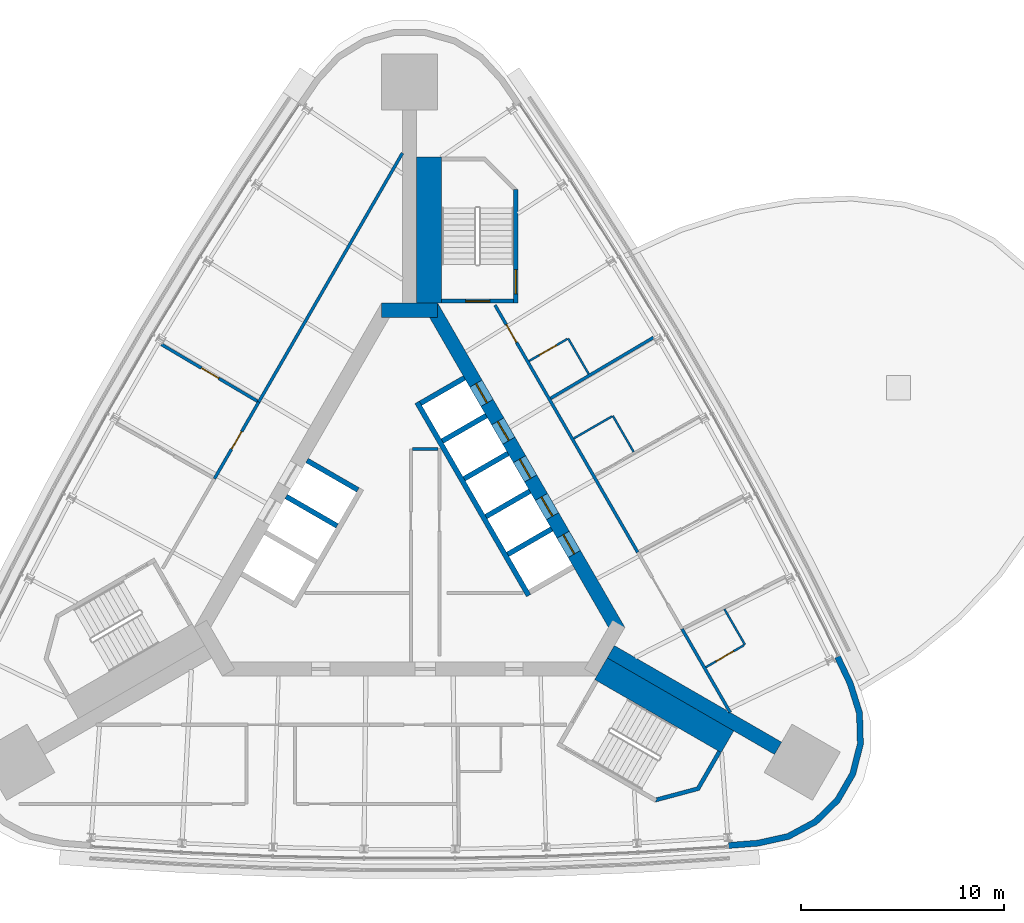
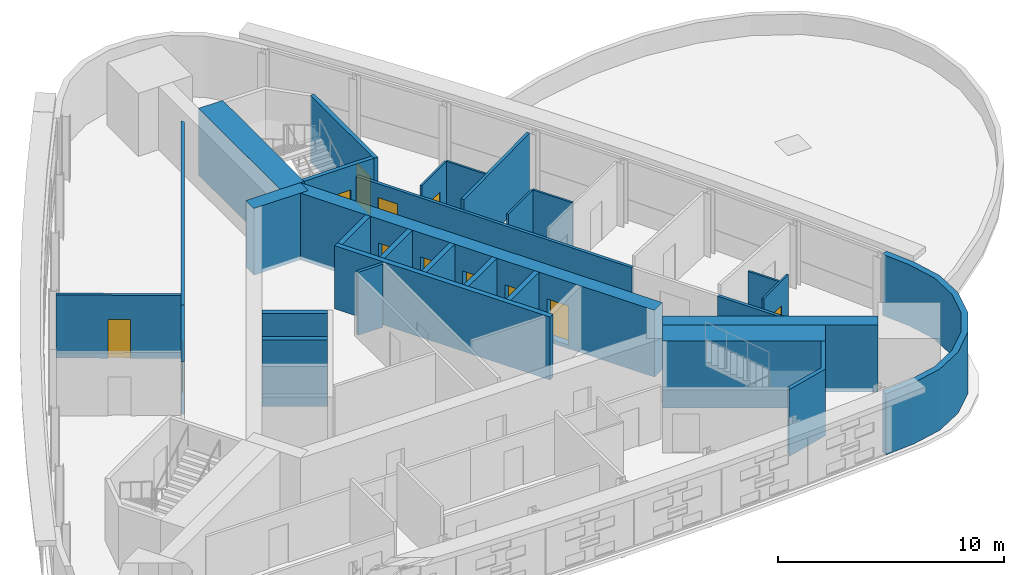
# One storey, part 9 of 12: 30 walls, 12 doors, 12 openings.
"""IFC4 building model written with IfcOpenShell, lengths in metres."""

from ifc_helpers import new_model, si_unit, direction, frame, frame_2d, origin, place, context, subcontext, project, spatial, polyline, rectangle, outline, extrude, material, layer, layer_set, type_object, element, fill, save


model = new_model("IFC4")

# Units and contexts
model_context = context("Model", 3, precision=1e-05, world=origin(), true_north=direction((0.0, 1.0)))
body_context = subcontext(model_context, "Body", "Model", "MODEL_VIEW")
ifc_project = project(units=[si_unit("LENGTHUNIT", "METRE"), si_unit("AREAUNIT", "SQUARE_METRE"), si_unit("VOLUMEUNIT", "CUBIC_METRE"), si_unit("PLANEANGLEUNIT", "RADIAN"), si_unit("MASSUNIT", "GRAM", prefix="KILO")], contexts=[model_context])

# Site, building, storey
site_placement = place(None, origin())
site = spatial("IfcSite", under=ifc_project, at=site_placement, CompositionType="ELEMENT")
building_placement = place(site_placement, origin())
building = spatial("IfcBuilding", under=site, at=building_placement, Name="Noor Cloister Tower", CompositionType="ELEMENT")
storey_placement = place(building_placement, frame((0.0, 0.0, 185.10009765625)))
storey = spatial("IfcBuildingStorey", under=building, at=storey_placement, Name="L47", CompositionType="ELEMENT", Elevation=185.10009765625)

# Walls
ifc_material_1 = material(Name="Concrete C70/85", Category="concrete")
ifc_layer_1 = layer(ifc_material_1, 0.699951171875)
ifc_layer_set_1 = layer_set([ifc_layer_1], Name="Buttress wall 700 C70/85")
wall_type_1 = type_object("IfcWallType", Name="Buttress wall 700 C70/85", PredefinedType="SHEAR", material=ifc_layer_set_1)
wall_1_placement = place(storey_placement, frame((9.921630859375, -5.728271484375, -0.2001953125), z_axis=(0.0, 0.0, 1.0), x_axis=(0.866025463095, -0.499999897272, 0.0)))
element("IfcWall", 1, at=wall_1_placement, inside=storey, type_object=wall_type_1, Name="Buttress wall SE L47", PredefinedType="SHEAR", context=body_context, shape_type="SweptSolid", body=[
    extrude(rectangle(XDim=9.521484375, YDim=0.699951171875, at=frame_2d((4.7607421875, 0.0))), origin(), (0.0, 0.0, 1.0), 3.60009765625),
])
ifc_material_2 = material(Name="Concrete C30/37", Category="concrete")
ifc_layer_2 = layer(ifc_material_2, 0.14990234375)
ifc_layer_set_2 = layer_set([ifc_layer_2], Name="Core partition 150 C30/37")
wall_type_2 = type_object("IfcWallType", Name="Core partition 150 C30/37", PredefinedType="PARTITIONING", material=ifc_layer_set_2)
wall_2_placement = place(storey_placement, frame((0.146240234375, 4.271728515625, 0.0), z_axis=(0.0, 0.0, 1.0), x_axis=(1.0, 0.0, 0.0)))
element("IfcWall", 2, at=wall_2_placement, inside=storey, type_object=wall_type_2, Name="Core room partition L47 3", PredefinedType="PARTITIONING", context=body_context, shape_type="SweptSolid", body=[
    extrude(rectangle(XDim=1.25, YDim=0.14990234375, at=frame_2d((0.625, 0.0))), origin(), (0.0, 0.0, 1.0), 3.39990234375),
])

# Wall, openings, doors
ifc_material_3 = material(Name="Concrete C70/85", Category="concrete")
ifc_layer_3 = layer(ifc_material_3, 0.699951171875)
ifc_layer_set_3 = layer_set([ifc_layer_3], Name="Core wall 700 C70/85")
wall_type_3 = type_object("IfcWallType", Name="Core wall 700 C70/85", PredefinedType="SHEAR", material=ifc_layer_set_3)
wall_3_placement = place(storey_placement, frame((10.311279296875, -4.703125, -0.2001953125), z_axis=(0.0, 0.0, 1.0), x_axis=(-0.500001446645, 0.866024568562, 0.0)))
wall_3 = element("IfcWall", 3, at=wall_3_placement, inside=storey, type_object=wall_type_3, Name="Core wall L47 3", PredefinedType="SHEAR", context=body_context, shape_type="SweptSolid", body=[
    extrude(rectangle(XDim=18.45751953125, YDim=0.699951171875, at=frame_2d((9.228759765625, 0.0))), origin(), (0.0, 0.0, 1.0), 3.60009765625),
])
opening_1_placement = place(wall_3_placement, frame((4.378662109375, 0.0, 0.199951171875)))
opening_1 = element("IfcOpeningElement", 4, at=opening_1_placement, cuts=wall_3, Name="Opening L47-HR1", PredefinedType="OPENING", context=body_context, shape_type="SweptSolid", body=[
    extrude(rectangle(XDim=1.10009765625, YDim=2.10009765625, at=frame_2d((0.550048828125, 1.050048828125))), frame((0.0, 0.35986328125, 0.0), z_axis=(0.0, -1.0, 0.0), x_axis=(1.0, 0.0, 0.0)), (0.0, 0.0, 1.0), 0.719970703125),
])
opening_2_placement = place(wall_3_placement, frame((6.52880859375, 0.0, 0.199951171875)))
opening_2 = element("IfcOpeningElement", 5, at=opening_2_placement, cuts=wall_3, Name="Opening L47-HR2", PredefinedType="OPENING", context=body_context, shape_type="SweptSolid", body=[
    extrude(rectangle(XDim=1.10009765625, YDim=2.10009765625, at=frame_2d((0.550048828125, 1.050048828125))), frame((0.0, 0.35986328125, 0.0), z_axis=(0.0, -1.0, 0.0), x_axis=(1.0, 0.0, 0.0)), (0.0, 0.0, 1.0), 0.719970703125),
])
opening_3_placement = place(wall_3_placement, frame((8.6787109375, 0.0, 0.199951171875)))
opening_3 = element("IfcOpeningElement", 6, at=opening_3_placement, cuts=wall_3, Name="Opening L47-HR3", PredefinedType="OPENING", context=body_context, shape_type="SweptSolid", body=[
    extrude(rectangle(XDim=1.10009765625, YDim=2.10009765625, at=frame_2d((0.550048828125, 1.050048828125))), frame((0.0, 0.35986328125, 0.0), z_axis=(0.0, -1.0, 0.0), x_axis=(1.0, 0.0, 0.0)), (0.0, 0.0, 1.0), 0.719970703125),
])
opening_4_placement = place(wall_3_placement, frame((10.82861328125, 0.0, 0.199951171875)))
opening_4 = element("IfcOpeningElement", 7, at=opening_4_placement, cuts=wall_3, Name="Opening L47-HR4", PredefinedType="OPENING", context=body_context, shape_type="SweptSolid", body=[
    extrude(rectangle(XDim=1.10009765625, YDim=2.10009765625, at=frame_2d((0.550048828125, 1.050048828125))), frame((0.0, 0.35986328125, 0.0), z_axis=(0.0, -1.0, 0.0), x_axis=(1.0, 0.0, 0.0)), (0.0, 0.0, 1.0), 0.719970703125),
])
opening_5_placement = place(wall_3_placement, frame((12.978759765625, 0.0, 0.199951171875)))
opening_5 = element("IfcOpeningElement", 8, at=opening_5_placement, cuts=wall_3, Name="Opening L47-HR5", PredefinedType="OPENING", context=body_context, shape_type="SweptSolid", body=[
    extrude(rectangle(XDim=1.10009765625, YDim=2.10009765625, at=frame_2d((0.550048828125, 1.050048828125))), frame((0.0, 0.35986328125, 0.0), z_axis=(0.0, -1.0, 0.0), x_axis=(1.0, 0.0, 0.0)), (0.0, 0.0, 1.0), 0.719970703125),
])
ifc_material_4 = material(Name="Stainless steel", Category="steel")
door_type_1 = type_object("IfcDoorType", Name="Lift landing door 1100 x 2100", OperationType="DOUBLE_DOOR_SLIDING", PredefinedType="DOOR", material=ifc_material_4)
door_1_placement = place(opening_1_placement, origin())
door_1 = element("IfcDoor", 9, at=door_1_placement, inside=storey, type_object=door_type_1, Name="Landing door HR1 L47", OperationType="DOUBLE_DOOR_SLIDING", OverallHeight=2.10009765625, OverallWidth=1.10009765625, PredefinedType="DOOR", context=body_context, shape_type="SweptSolid", body=[
    extrude(rectangle(XDim=1.10009765625, YDim=2.10009765625, at=frame_2d((0.550048828125, 1.050048828125))), frame((0.0, 0.02490234375, 0.0), z_axis=(0.0, -1.0, 0.0), x_axis=(1.0, 0.0, 0.0)), (0.0, 0.0, 1.0), 0.050048828125),
])
fill(opening_1, door_1)
door_2_placement = place(opening_2_placement, origin())
door_2 = element("IfcDoor", 10, at=door_2_placement, inside=storey, type_object=door_type_1, Name="Landing door HR2 L47", OperationType="DOUBLE_DOOR_SLIDING", OverallHeight=2.10009765625, OverallWidth=1.10009765625, PredefinedType="DOOR", context=body_context, shape_type="SweptSolid", body=[
    extrude(rectangle(XDim=1.10009765625, YDim=2.10009765625, at=frame_2d((0.550048828125, 1.050048828125))), frame((0.0, 0.02490234375, 0.0), z_axis=(0.0, -1.0, 0.0), x_axis=(1.0, 0.0, 0.0)), (0.0, 0.0, 1.0), 0.050048828125),
])
fill(opening_2, door_2)
door_3_placement = place(opening_3_placement, origin())
door_3 = element("IfcDoor", 11, at=door_3_placement, inside=storey, type_object=door_type_1, Name="Landing door HR3 L47", OperationType="DOUBLE_DOOR_SLIDING", OverallHeight=2.10009765625, OverallWidth=1.10009765625, PredefinedType="DOOR", context=body_context, shape_type="SweptSolid", body=[
    extrude(rectangle(XDim=1.10009765625, YDim=2.10009765625, at=frame_2d((0.550048828125, 1.050048828125))), frame((0.0, 0.02490234375, 0.0), z_axis=(0.0, -1.0, 0.0), x_axis=(1.0, 0.0, 0.0)), (0.0, 0.0, 1.0), 0.050048828125),
])
fill(opening_3, door_3)
door_4_placement = place(opening_4_placement, origin())
door_4 = element("IfcDoor", 12, at=door_4_placement, inside=storey, type_object=door_type_1, Name="Landing door HR4 L47", OperationType="DOUBLE_DOOR_SLIDING", OverallHeight=2.10009765625, OverallWidth=1.10009765625, PredefinedType="DOOR", context=body_context, shape_type="SweptSolid", body=[
    extrude(rectangle(XDim=1.10009765625, YDim=2.10009765625, at=frame_2d((0.550048828125, 1.050048828125))), frame((0.0, 0.02490234375, 0.0), z_axis=(0.0, -1.0, 0.0), x_axis=(1.0, 0.0, 0.0)), (0.0, 0.0, 1.0), 0.050048828125),
])
fill(opening_4, door_4)
door_5_placement = place(opening_5_placement, origin())
door_5 = element("IfcDoor", 13, at=door_5_placement, inside=storey, type_object=door_type_1, Name="Landing door HR5 L47", OperationType="DOUBLE_DOOR_SLIDING", OverallHeight=2.10009765625, OverallWidth=1.10009765625, PredefinedType="DOOR", context=body_context, shape_type="SweptSolid", body=[
    extrude(rectangle(XDim=1.10009765625, YDim=2.10009765625, at=frame_2d((0.550048828125, 1.050048828125))), frame((0.0, 0.02490234375, 0.0), z_axis=(0.0, -1.0, 0.0), x_axis=(1.0, 0.0, 0.0)), (0.0, 0.0, 1.0), 0.050048828125),
])
fill(opening_5, door_5)

# Walls
wall_4_placement = place(storey_placement, frame((1.3857421875, 11.1064453125, -0.2001953125), z_axis=(0.0, 0.0, 1.0), x_axis=(-1.0, 0.0, 0.0)))
element("IfcWall", 14, at=wall_4_placement, inside=storey, type_object=wall_type_3, Name="Core wall L47 4", PredefinedType="SHEAR", context=body_context, shape_type="SweptSolid", body=[
    extrude(rectangle(XDim=2.771484375, YDim=0.699951171875, at=frame_2d((1.3857421875, 0.0))), origin(), (0.0, 0.0, 1.0), 3.60009765625),
])
ifc_material_5 = material(Name="Fire-rated gypsum board partition on steel studs, 150 mm", Category="steel")
ifc_layer_4 = layer(ifc_material_5, 0.14990234375)
ifc_layer_set_4 = layer_set([ifc_layer_4], Name="Fire lobby wall 150")
wall_type_4 = type_object("IfcWallType", Name="Fire lobby wall 150", PredefinedType="PARTITIONING", material=ifc_layer_set_4)
wall_5_placement = place(storey_placement, frame((-0.35009765625, 18.85009765625, 0.0), z_axis=(0.0, 0.0, 1.0), x_axis=(-0.500005388685, -0.866022292603, 0.0)))
element("IfcWall", 15, at=wall_5_placement, inside=storey, type_object=wall_type_4, Name="Wall L47-W24", PredefinedType="PARTITIONING", context=body_context, shape_type="SweptSolid", body=[
    extrude(rectangle(XDim=14.166748046875, YDim=0.14990234375, at=frame_2d((7.08349609375, 0.0))), origin(), (0.0, 0.0, 1.0), 2.846923828125),
])

# Wall, opening, door
wall_6_placement = place(storey_placement, frame((-7.43359375, 6.581298828125, 0.0), z_axis=(0.0, 0.0, 1.0), x_axis=(-0.499964504253, -0.866045896294, 0.0)))
wall_6 = element("IfcWall", 16, at=wall_6_placement, inside=storey, type_object=wall_type_4, Name="Wall L47-W28", PredefinedType="PARTITIONING", context=body_context, shape_type="SweptSolid", body=[
    extrude(rectangle(XDim=4.365478515625, YDim=0.14990234375, at=frame_2d((2.1826171875, 0.0))), origin(), (0.0, 0.0, 1.0), 2.846923828125),
])
opening_6_placement = place(wall_6_placement, frame((1.682861328125, 0.0, 0.0)))
opening_6 = element("IfcOpeningElement", 17, at=opening_6_placement, cuts=wall_6, Name="Opening L47-016", PredefinedType="OPENING", context=body_context, shape_type="SweptSolid", body=[
    extrude(rectangle(XDim=1.0, YDim=2.10009765625, at=frame_2d((0.5, 1.050048828125))), frame((0.0, 0.0849609375, 0.0), z_axis=(0.0, -1.0, 0.0), x_axis=(1.0, 0.0, 0.0)), (0.0, 0.0, 1.0), 0.169921875),
])
ifc_material_6 = material(Name="Timber door leaf with steel frame", Category="steel")
door_type_2 = type_object("IfcDoorType", Name="Fire lobby door 1000", OperationType="NOTDEFINED", PredefinedType="DOOR", material=ifc_material_6)
door_6_placement = place(opening_6_placement, origin())
door_6 = element("IfcDoor", 18, at=door_6_placement, inside=storey, type_object=door_type_2, Name="Door L47-016", OperationType="SINGLE_SWING_RIGHT", OverallHeight=2.10009765625, OverallWidth=1.0, PredefinedType="DOOR", context=body_context, shape_type="SweptSolid", body=[
    extrude(rectangle(XDim=1.0, YDim=2.10009765625, at=frame_2d((0.5, 1.050048828125))), frame((0.0, 0.02490234375, 0.0), z_axis=(0.0, -1.0, 0.0), x_axis=(1.0, 0.0, 0.0)), (0.0, 0.0, 1.0), 0.050048828125),
])
fill(opening_6, door_6)

# Wall
ifc_material_7 = material(Name="Gypsum board partition on steel studs, 150 mm", Category="steel")
ifc_layer_5 = layer(ifc_material_7, 0.14990234375)
ifc_layer_set_5 = layer_set([ifc_layer_5], Name="Flat wall 150")
wall_type_5 = type_object("IfcWallType", Name="Flat wall 150", PredefinedType="PARTITIONING", material=ifc_layer_set_5)
wall_7_placement = place(storey_placement, frame((15.806884765625, -8.721923828125, 0.0), z_axis=(0.0, 0.0, 1.0), x_axis=(-0.500015802937, 0.866016279763, 0.0)))
element("IfcWall", 19, at=wall_7_placement, inside=storey, type_object=wall_type_5, Name="Wall L47-W01", PredefinedType="PARTITIONING", context=body_context, shape_type="SweptSolid", body=[
    extrude(rectangle(XDim=4.754638671875, YDim=0.14990234375, at=frame_2d((2.37744140625, 0.0))), origin(), (0.0, 0.0, 1.0), 2.846923828125),
])

# Wall, opening, door
wall_8_placement = place(storey_placement, frame((11.2470703125, -0.82421875, 0.0), z_axis=(0.0, 0.0, 1.0), x_axis=(-0.499997921847, 0.866026603603, 0.0)))
wall_8 = element("IfcWall", 20, at=wall_8_placement, inside=storey, type_object=wall_type_5, Name="Wall L47-W02", PredefinedType="PARTITIONING", context=body_context, shape_type="SweptSolid", body=[
    extrude(rectangle(XDim=14.06494140625, YDim=0.14990234375, at=frame_2d((7.032470703125, 0.0))), origin(), (0.0, 0.0, 1.0), 2.846923828125),
])
opening_7_placement = place(wall_8_placement, frame((11.95263671875, 0.0, 0.0)))
opening_7 = element("IfcOpeningElement", 21, at=opening_7_placement, cuts=wall_8, Name="Opening L47-008", PredefinedType="OPENING", context=body_context, shape_type="SweptSolid", body=[
    extrude(rectangle(XDim=1.0, YDim=2.10009765625, at=frame_2d((0.5, 1.050048828125))), frame((0.0, 0.0849609375, 0.0), z_axis=(0.0, -1.0, 0.0), x_axis=(1.0, 0.0, 0.0)), (0.0, 0.0, 1.0), 0.169921875),
])
ifc_material_8 = material(Name="Timber door leaf with steel frame", Category="steel")
door_type_3 = type_object("IfcDoorType", Name="Flat entrance door 1000", OperationType="NOTDEFINED", PredefinedType="DOOR", material=ifc_material_8)
door_7_placement = place(opening_7_placement, origin())
door_7 = element("IfcDoor", 22, at=door_7_placement, inside=storey, type_object=door_type_3, Name="Door L47-008", OperationType="SINGLE_SWING_RIGHT", OverallHeight=2.10009765625, OverallWidth=1.0, PredefinedType="DOOR", context=body_context, shape_type="SweptSolid", body=[
    extrude(rectangle(XDim=1.0, YDim=2.10009765625, at=frame_2d((0.5, 1.050048828125))), frame((0.0, 0.02490234375, 0.0), z_axis=(0.0, -1.0, 0.0), x_axis=(1.0, 0.0, 0.0)), (0.0, 0.0, 1.0), 0.050048828125),
])
fill(opening_7, door_7)

# Wall
wall_9_placement = place(storey_placement, frame((12.03125, 9.766357421875, 0.0), z_axis=(0.0, 0.0, 1.0), x_axis=(-0.860638865546, -0.509215811922, 0.0)))
element("IfcWall", 23, at=wall_9_placement, inside=storey, type_object=wall_type_5, Name="Wall L47-W11", PredefinedType="PARTITIONING", context=body_context, shape_type="SweptSolid", body=[
    extrude(rectangle(XDim=5.899658203125, YDim=0.14990234375, at=frame_2d((2.94970703125, 0.0))), origin(), (0.0, 0.0, 1.0), 3.39990234375),
])

# Wall, opening, door
wall_10_placement = place(storey_placement, frame((-12.23486328125, 9.422119140625, 0.0), z_axis=(0.0, 0.0, 1.0), x_axis=(0.860631434237, -0.509228371562, 0.0)))
wall_10 = element("IfcWall", 24, at=wall_10_placement, inside=storey, type_object=wall_type_5, Name="Wall L47-W26", PredefinedType="PARTITIONING", context=body_context, shape_type="SweptSolid", body=[
    extrude(rectangle(XDim=5.50390625, YDim=0.14990234375, at=frame_2d((2.751953125, 0.0))), origin(), (0.0, 0.0, 1.0), 3.39990234375),
])
opening_8_placement = place(wall_10_placement, frame((2.28955078125, 0.0, 0.0)))
opening_8 = element("IfcOpeningElement", 25, at=opening_8_placement, cuts=wall_10, Name="Opening L47-017", PredefinedType="OPENING", context=body_context, shape_type="SweptSolid", body=[
    extrude(rectangle(XDim=1.0, YDim=2.10009765625, at=frame_2d((0.5, 1.050048828125))), frame((0.0, 0.0849609375, 0.0), z_axis=(0.0, -1.0, 0.0), x_axis=(1.0, 0.0, 0.0)), (0.0, 0.0, 1.0), 0.169921875),
])
ifc_material_9 = material(Name="Timber door leaf with steel frame", Category="steel")
door_type_4 = type_object("IfcDoorType", Name="Interior door 1000 FD60", OperationType="NOTDEFINED", PredefinedType="DOOR", material=ifc_material_9)
door_8_placement = place(opening_8_placement, origin())
door_8 = element("IfcDoor", 26, at=door_8_placement, inside=storey, type_object=door_type_4, Name="Door L47-017", OperationType="SINGLE_SWING_LEFT", OverallHeight=2.10009765625, OverallWidth=1.0, PredefinedType="DOOR", context=body_context, shape_type="SweptSolid", body=[
    extrude(rectangle(XDim=1.0, YDim=2.10009765625, at=frame_2d((0.5, 1.050048828125))), frame((0.0, 0.02490234375, 0.0), z_axis=(0.0, -1.0, 0.0), x_axis=(1.0, 0.0, 0.0)), (0.0, 0.0, 1.0), 0.050048828125),
])
fill(opening_8, door_8)

# Walls
ifc_material_10 = material(Name="Limestone", Category="masonry")
ifc_layer_6 = layer(ifc_material_10, 0.300048828125)
ifc_layer_set_6 = layer_set([ifc_layer_6], Name="Limestone cladding 300")
wall_type_6 = type_object("IfcWallType", Name="Limestone cladding 300", PredefinedType="NOTDEFINED", material=ifc_layer_set_6)
wall_11_placement = place(storey_placement, origin())
element("IfcWall", 27, at=wall_11_placement, inside=storey, type_object=wall_type_6, Name="Limestone pier cladding L47 2.1", PredefinedType="NOTDEFINED", context=body_context, shape_type="SweptSolid", body=[
    extrude(outline(polyline([(15.7353515625, -15.428955078125), (17.205078125, -15.3134765625), (18.7255859375, -14.973876953125), (20.095947265625, -14.23291015625), (21.212890625, -13.146728515625), (21.991943359375, -11.797607421875), (22.3740234375, -10.287109375), (22.330322265625, -8.72998046875), (21.864501953125, -7.2431640625), (21.2294921875, -5.91259765625), (20.958740234375, -6.041748046875), (21.58447265625, -7.353271484375), (22.03173828125, -8.77978515625), (22.072998046875, -10.25390625), (21.711181640625, -11.68359375), (20.973876953125, -12.960693359375), (19.916748046875, -13.98876953125), (18.619384765625, -14.690185546875), (17.160400390625, -15.01611328125), (15.711669921875, -15.1298828125), (15.7353515625, -15.428955078125)])), origin(), (0.0, 0.0, 1.0), 3.2998046875),
])
ifc_material_11 = material(Name="Gypsum board partition on steel studs, 100 mm", Category="steel")
ifc_layer_7 = layer(ifc_material_11, 0.10009765625)
ifc_layer_set_7 = layer_set([ifc_layer_7], Name="Partition 100")
wall_type_7 = type_object("IfcWallType", Name="Partition 100", PredefinedType="PARTITIONING", material=ifc_layer_set_7)
wall_12_placement = place(storey_placement, frame((15.5205078125, -3.6259765625, 0.0), z_axis=(0.0, 0.0, 1.0), x_axis=(0.500042536776, -0.866000843773, 0.0)))
element("IfcWall", 28, at=wall_12_placement, inside=storey, type_object=wall_type_7, Name="Wall L47-W06", PredefinedType="PARTITIONING", context=body_context, shape_type="SweptSolid", body=[
    extrude(rectangle(XDim=2.024658203125, YDim=0.10009765625, at=frame_2d((1.01220703125, 0.0))), origin(), (0.0, 0.0, 1.0), 2.846923828125),
])

# Wall, opening, door
wall_13_placement = place(storey_placement, frame((16.48974609375, -5.404541015625, 0.0), z_axis=(0.0, 0.0, 1.0), x_axis=(-0.866065968399, -0.499929733443, 0.0)))
wall_13 = element("IfcWall", 29, at=wall_13_placement, inside=storey, type_object=wall_type_7, Name="Wall L47-W07", PredefinedType="PARTITIONING", context=body_context, shape_type="SweptSolid", body=[
    extrude(rectangle(XDim=2.175048828125, YDim=0.10009765625, at=frame_2d((1.08740234375, 0.0))), origin(), (0.0, 0.0, 1.0), 3.39990234375),
])
opening_9_placement = place(wall_13_placement, frame((0.60009765625, 0.0, 0.0)))
opening_9 = element("IfcOpeningElement", 30, at=opening_9_placement, cuts=wall_13, Name="Opening L47-002", PredefinedType="OPENING", context=body_context, shape_type="SweptSolid", body=[
    extrude(rectangle(XDim=1.0, YDim=2.10009765625, at=frame_2d((0.5, 1.050048828125))), frame((0.0, 0.06005859375, 0.0), z_axis=(0.0, -1.0, 0.0), x_axis=(1.0, 0.0, 0.0)), (0.0, 0.0, 1.0), 0.1201171875),
])
ifc_material_12 = material(Name="Timber door leaf with steel frame", Category="steel")
door_type_5 = type_object("IfcDoorType", Name="Interior door 1000", OperationType="NOTDEFINED", PredefinedType="DOOR", material=ifc_material_12)
door_9_placement = place(opening_9_placement, origin())
door_9 = element("IfcDoor", 31, at=door_9_placement, inside=storey, type_object=door_type_5, Name="Door L47-002", OperationType="SINGLE_SWING_RIGHT", OverallHeight=2.10009765625, OverallWidth=1.0, PredefinedType="DOOR", context=body_context, shape_type="SweptSolid", body=[
    extrude(rectangle(XDim=1.0, YDim=2.10009765625, at=frame_2d((0.5, 1.050048828125))), frame((0.0, 0.02490234375, 0.0), z_axis=(0.0, -1.0, 0.0), x_axis=(1.0, 0.0, 0.0)), (0.0, 0.0, 1.0), 0.050048828125),
])
fill(opening_9, door_9)

# Walls
wall_14_placement = place(storey_placement, frame((11.046875, 4.122802734375, 0.0), z_axis=(0.0, 0.0, 1.0), x_axis=(-0.500007699544, 0.866020958405, 0.0)))
element("IfcWall", 32, at=wall_14_placement, inside=storey, type_object=wall_type_7, Name="Wall L47-W09", PredefinedType="PARTITIONING", context=body_context, shape_type="SweptSolid", body=[
    extrude(rectangle(XDim=2.0498046875, YDim=0.10009765625, at=frame_2d((1.02490234375, 0.0))), origin(), (0.0, 0.0, 1.0), 3.39990234375),
])
wall_15_placement = place(storey_placement, frame((9.978515625, 5.873046875, 0.0), z_axis=(0.0, 0.0, 1.0), x_axis=(-0.866037911478, -0.499978335414, 0.0)))
element("IfcWall", 33, at=wall_15_placement, inside=storey, type_object=wall_type_7, Name="Wall L47-W10", PredefinedType="PARTITIONING", context=body_context, shape_type="SweptSolid", body=[
    extrude(rectangle(XDim=2.1748046875, YDim=0.10009765625, at=frame_2d((1.08740234375, 0.0))), origin(), (0.0, 0.0, 1.0), 3.39990234375),
])
wall_16_placement = place(storey_placement, frame((8.831298828125, 7.960205078125, 0.0), z_axis=(0.0, 0.0, 1.0), x_axis=(-0.499990325971, 0.866030989016, 0.0)))
element("IfcWall", 34, at=wall_16_placement, inside=storey, type_object=wall_type_7, Name="Wall L47-W12", PredefinedType="PARTITIONING", context=body_context, shape_type="SweptSolid", body=[
    extrude(rectangle(XDim=2.02490234375, YDim=0.10009765625, at=frame_2d((1.012451171875, 0.0))), origin(), (0.0, 0.0, 1.0), 3.39990234375),
])

# Wall, opening, door
wall_17_placement = place(storey_placement, frame((7.775390625, 9.68896484375, 0.0), z_axis=(0.0, 0.0, 1.0), x_axis=(-0.865989304205, -0.500062521093, 0.0)))
wall_17 = element("IfcWall", 35, at=wall_17_placement, inside=storey, type_object=wall_type_7, Name="Wall L47-W13", PredefinedType="PARTITIONING", context=body_context, shape_type="SweptSolid", body=[
    extrude(rectangle(XDim=2.175048828125, YDim=0.10009765625, at=frame_2d((1.08740234375, 0.0))), origin(), (0.0, 0.0, 1.0), 3.39990234375),
])
opening_10_placement = place(wall_17_placement, frame((0.60009765625, 0.0, 0.0)))
opening_10 = element("IfcOpeningElement", 36, at=opening_10_placement, cuts=wall_17, Name="Opening L47-007", PredefinedType="OPENING", context=body_context, shape_type="SweptSolid", body=[
    extrude(rectangle(XDim=1.0, YDim=2.10009765625, at=frame_2d((0.5, 1.050048828125))), frame((0.0, 0.06005859375, 0.0), z_axis=(0.0, -1.0, 0.0), x_axis=(1.0, 0.0, 0.0)), (0.0, 0.0, 1.0), 0.1201171875),
])
door_10_placement = place(opening_10_placement, origin())
door_10 = element("IfcDoor", 37, at=door_10_placement, inside=storey, type_object=door_type_5, Name="Door L47-007", OperationType="SINGLE_SWING_LEFT", OverallHeight=2.10009765625, OverallWidth=1.0, PredefinedType="DOOR", context=body_context, shape_type="SweptSolid", body=[
    extrude(rectangle(XDim=1.0, YDim=2.10009765625, at=frame_2d((0.5, 1.050048828125))), frame((0.0, 0.02490234375, 0.0), z_axis=(0.0, -1.0, 0.0), x_axis=(1.0, 0.0, 0.0)), (0.0, 0.0, 1.0), 0.050048828125),
])
fill(opening_10, door_10)

# Walls
ifc_material_13 = material(Name="Concrete C70/85", Category="concrete")
ifc_layer_8 = layer(ifc_material_13, 0.25)
ifc_layer_set_8 = layer_set([ifc_layer_8], Name="Shaft wall 250 C70/85")
wall_type_8 = type_object("IfcWallType", Name="Shaft wall 250 C70/85", PredefinedType="PARTITIONING", material=ifc_layer_set_8)
wall_18_placement = place(storey_placement, frame((7.00634765625, 0.3212890625, -0.2001953125), z_axis=(0.0, 0.0, 1.0), x_axis=(-0.866022959057, -0.500004234368, 0.0)))
element("IfcWall", 38, at=wall_18_placement, inside=storey, type_object=wall_type_8, Name="Lift shaft wall L47 NE 2", PredefinedType="PARTITIONING", context=body_context, shape_type="SweptSolid", body=[
    extrude(rectangle(XDim=2.5, YDim=0.25, at=frame_2d((1.25, 0.0))), origin(), (0.0, 0.0, 1.0), 3.60009765625),
])
wall_19_placement = place(storey_placement, frame((5.931396484375, 2.18310546875, -0.2001953125), z_axis=(0.0, 0.0, 1.0), x_axis=(-0.866047370643, -0.499961950354, 0.0)))
element("IfcWall", 39, at=wall_19_placement, inside=storey, type_object=wall_type_8, Name="Lift shaft wall L47 NE 3", PredefinedType="PARTITIONING", context=body_context, shape_type="SweptSolid", body=[
    extrude(rectangle(XDim=2.500244140625, YDim=0.25, at=frame_2d((1.25, 0.0))), origin(), (0.0, 0.0, 1.0), 3.60009765625),
])
for number, where, z_axis, x_axis, name in (
    (40, (4.856201171875, 4.045166015625, -0.2001953125), (0.0, 0.0, 1.0), (-0.866022959057, -0.500004234368, 0.0), "Lift shaft wall L47 NE 4"),
    (41, (3.78125, 5.906982421875, -0.2001953125), (0.0, 0.0, 1.0), (-0.866022959057, -0.500004234368, 0.0), "Lift shaft wall L47 NE 5"),
    (42, (2.706298828125, 7.76904296875, -0.2001953125), (0.0, 0.0, 1.0), (-0.866022959057, -0.500004234368, 0.0), "Lift shaft wall L47 NE 6"),
):
    element("IfcWall", number, at=place(storey_placement, frame(where, z_axis=z_axis, x_axis=x_axis)), inside=storey, type_object=wall_type_8, Name=name, PredefinedType="PARTITIONING", context=body_context, shape_type="SweptSolid", body=[
        extrude(rectangle(XDim=2.5, YDim=0.25, at=frame_2d((1.25, 0.0))), origin(), (0.0, 0.0, 1.0), 3.60009765625),
    ])
wall_20_placement = place(storey_placement, frame((5.870361328125, -2.96142578125, 0.0), z_axis=(0.0, 0.0, 1.0), x_axis=(-0.50000615651, 0.866021849293, 0.0)))
element("IfcWall", 43, at=wall_20_placement, inside=storey, type_object=wall_type_8, Name="Lift shaft back wall L47 NE", PredefinedType="PARTITIONING", context=body_context, shape_type="SweptSolid", body=[
    extrude(rectangle(XDim=10.999755859375, YDim=0.25, at=frame_2d((5.5, 0.0))), origin(), (0.0, 0.0, 1.0), 3.39990234375),
])
for number, where, z_axis, x_axis, name in (
    (44, (-5.056396484375, 3.69873046875, -0.2001953125), (0.0, 0.0, 1.0), (0.866032775405, -0.499987231761, 0.0), "Lift shaft wall L47 NW 3"),
    (45, (-6.081298828125, 1.92333984375, -0.2001953125), (0.0, 0.0, 1.0), (0.866032775405, -0.499987231761, 0.0), "Lift shaft wall L47 NW 4"),
):
    element("IfcWall", number, at=place(storey_placement, frame(where, z_axis=z_axis, x_axis=x_axis)), inside=storey, type_object=wall_type_8, Name=name, PredefinedType="PARTITIONING", context=body_context, shape_type="SweptSolid", body=[
        extrude(rectangle(XDim=2.89990234375, YDim=0.25, at=frame_2d((1.449951171875, 0.0))), origin(), (0.0, 0.0, 1.0), 3.60009765625),
    ])
ifc_material_14 = material(Name="Concrete C70/85", Category="concrete")
ifc_layer_9 = layer(ifc_material_14, 1.236083984375)
ifc_layer_set_9 = layer_set([ifc_layer_9], Name="Stair enclosure wall 1236 C70/85")
wall_type_9 = type_object("IfcWallType", Name="Stair enclosure wall 1236 C70/85", PredefinedType="SHEAR", material=ifc_layer_set_9)
for number, where, z_axis, x_axis, name in (
    (46, (0.9677734375, 11.456298828125, -0.2001953125), (0.0, 0.0, 1.0), (0.0, 1.0, 0.0), "Stair enclosure wall ST1 L47 riser side"),
    (47, (9.4375, -6.56640625, -0.2001953125), (0.0, 0.0, 1.0), (0.866026919366, -0.499997374926, 0.0), "Stair enclosure wall ST3 L47 riser side"),
):
    element("IfcWall", number, at=place(storey_placement, frame(where, z_axis=z_axis, x_axis=x_axis)), inside=storey, type_object=wall_type_9, Name=name, PredefinedType="SHEAR", context=body_context, shape_type="SweptSolid", body=[
        extrude(rectangle(XDim=7.2001953125, YDim=1.235595703125, at=frame_2d((3.60009765625, 0.0))), origin(), (0.0, 0.0, 1.0), 3.60009765625),
    ])

# Wall, opening, door
ifc_material_15 = material(Name="Concrete C70/85", Category="concrete")
ifc_layer_10 = layer(ifc_material_15, 0.199951171875)
ifc_layer_set_10 = layer_set([ifc_layer_10], Name="Stair enclosure wall 200 C70/85")
wall_type_10 = type_object("IfcWallType", Name="Stair enclosure wall 200 C70/85", PredefinedType="SHEAR", material=ifc_layer_set_10)
wall_21_placement = place(storey_placement, frame((5.135498046875, 11.556396484375, -0.2001953125), z_axis=(0.0, 0.0, 1.0), x_axis=(-1.0, 0.0, 0.0)))
wall_21 = element("IfcWall", 48, at=wall_21_placement, inside=storey, type_object=wall_type_10, Name="Stair enclosure wall ST1 L47 near end", PredefinedType="SHEAR", context=body_context, shape_type="SweptSolid", body=[
    extrude(rectangle(XDim=3.5498046875, YDim=0.199951171875, at=frame_2d((1.77490234375, 0.0))), origin(), (0.0, 0.0, 1.0), 3.60009765625),
])
opening_11_placement = place(wall_21_placement, frame((1.175048828125, 0.0, 0.199951171875)))
opening_11 = element("IfcOpeningElement", 49, at=opening_11_placement, cuts=wall_21, Name="Opening L47-ST1L", PredefinedType="OPENING", context=body_context, shape_type="SweptSolid", body=[
    extrude(rectangle(XDim=1.199951171875, YDim=2.10009765625, at=frame_2d((0.60009765625, 1.050048828125))), frame((0.0, 0.10986328125, 0.0), z_axis=(0.0, -1.0, 0.0), x_axis=(1.0, 0.0, 0.0)), (0.0, 0.0, 1.0), 0.219970703125),
])
ifc_material_16 = material(Name="Steel", Category="steel")
door_type_6 = type_object("IfcDoorType", Name="Stair door 1200 x 2100 FD120", OperationType="SINGLE_SWING_LEFT", PredefinedType="DOOR", material=ifc_material_16)
door_11_placement = place(opening_11_placement, origin())
door_11 = element("IfcDoor", 50, at=door_11_placement, inside=storey, type_object=door_type_6, Name="Stair door ST1 L47", OperationType="SINGLE_SWING_RIGHT", OverallHeight=2.10009765625, OverallWidth=1.199951171875, PredefinedType="DOOR", context=body_context, shape_type="SweptSolid", body=[
    extrude(rectangle(XDim=1.199951171875, YDim=2.10009765625, at=frame_2d((0.60009765625, 1.050048828125))), frame((0.0, 0.02490234375, 0.0), z_axis=(0.0, -1.0, 0.0), x_axis=(1.0, 0.0, 0.0)), (0.0, 0.0, 1.0), 0.050048828125),
])
fill(opening_11, door_11)

wall_22_placement = place(storey_placement, frame((5.235595703125, 11.456298828125, -0.2001953125), z_axis=(0.0, 0.0, 1.0), x_axis=(0.0, 1.0, 0.0)))
wall_22 = element("IfcWall", 51, at=wall_22_placement, inside=storey, type_object=wall_type_10, Name="Stair enclosure wall ST1 L47 outer side", PredefinedType="SHEAR", context=body_context, shape_type="SweptSolid", body=[
    extrude(rectangle(XDim=5.60009765625, YDim=0.199951171875, at=frame_2d((2.800048828125, 0.0))), origin(), (0.0, 0.0, 1.0), 3.60009765625),
])
opening_12_placement = place(wall_22_placement, frame((0.449951171875, 0.0, 0.199951171875)))
opening_12 = element("IfcOpeningElement", 52, at=opening_12_placement, cuts=wall_22, Name="Opening L47-ST1C", PredefinedType="OPENING", context=body_context, shape_type="SweptSolid", body=[
    extrude(rectangle(XDim=1.199951171875, YDim=2.10009765625, at=frame_2d((0.60009765625, 1.050048828125))), frame((0.0, 0.10986328125, 0.0), z_axis=(0.0, -1.0, 0.0), x_axis=(1.0, 0.0, 0.0)), (0.0, 0.0, 1.0), 0.219970703125),
])
door_12_placement = place(opening_12_placement, origin())
door_12 = element("IfcDoor", 53, at=door_12_placement, inside=storey, type_object=door_type_6, Name="Stair door ST1 L47", OperationType="SINGLE_SWING_LEFT", OverallHeight=2.10009765625, OverallWidth=1.199951171875, PredefinedType="DOOR", context=body_context, shape_type="SweptSolid", body=[
    extrude(rectangle(XDim=1.199951171875, YDim=2.10009765625, at=frame_2d((0.60009765625, 1.050048828125))), frame((0.0, 0.02490234375, 0.0), z_axis=(0.0, -1.0, 0.0), x_axis=(1.0, 0.0, 0.0)), (0.0, 0.0, 1.0), 0.050048828125),
])
fill(opening_12, door_12)

# Wall
ifc_material_17 = material(Name="Concrete C70/85", Category="concrete")
wall_type_11 = type_object("IfcWallType", Name="Stair far end wall C70/85", PredefinedType="SHEAR", material=ifc_material_17)
wall_23_placement = place(storey_placement, frame((0.0, 0.0, -0.2001953125)))
element("IfcWall", 54, at=wall_23_placement, inside=storey, type_object=wall_type_11, Name="Stair enclosure wall ST3 L47 far end", PredefinedType="SHEAR", context=body_context, shape_type="SweptSolid", body=[
    extrude(outline(polyline([(12.103515625, -13.14892578125), (14.2890625, -12.5634765625), (15.364013671875, -10.701416015625), (15.19091796875, -10.601318359375), (14.1572265625, -12.3916015625), (12.131591796875, -12.934326171875), (12.20361328125, -12.975830078125), (12.20361328125, -12.975830078125), (12.20361328125, -12.975830078125), (12.20361328125, -12.975830078125), (12.20361328125, -12.975830078125), (12.20361328125, -12.975830078125), (12.20361328125, -12.975830078125), (12.20361328125, -12.975830078125), (12.20361328125, -12.975830078125), (12.20361328125, -12.975830078125), (12.20361328125, -12.975830078125), (12.20361328125, -12.975830078125), (12.20361328125, -12.975830078125), (12.20361328125, -12.975830078125), (12.20361328125, -12.975830078125), (12.20361328125, -12.975830078125), (12.20361328125, -12.975830078125), (12.103515625, -13.14892578125)])), origin(), (0.0, 0.0, 1.0), 3.60009765625),
])

save(model, "model.ifc")
